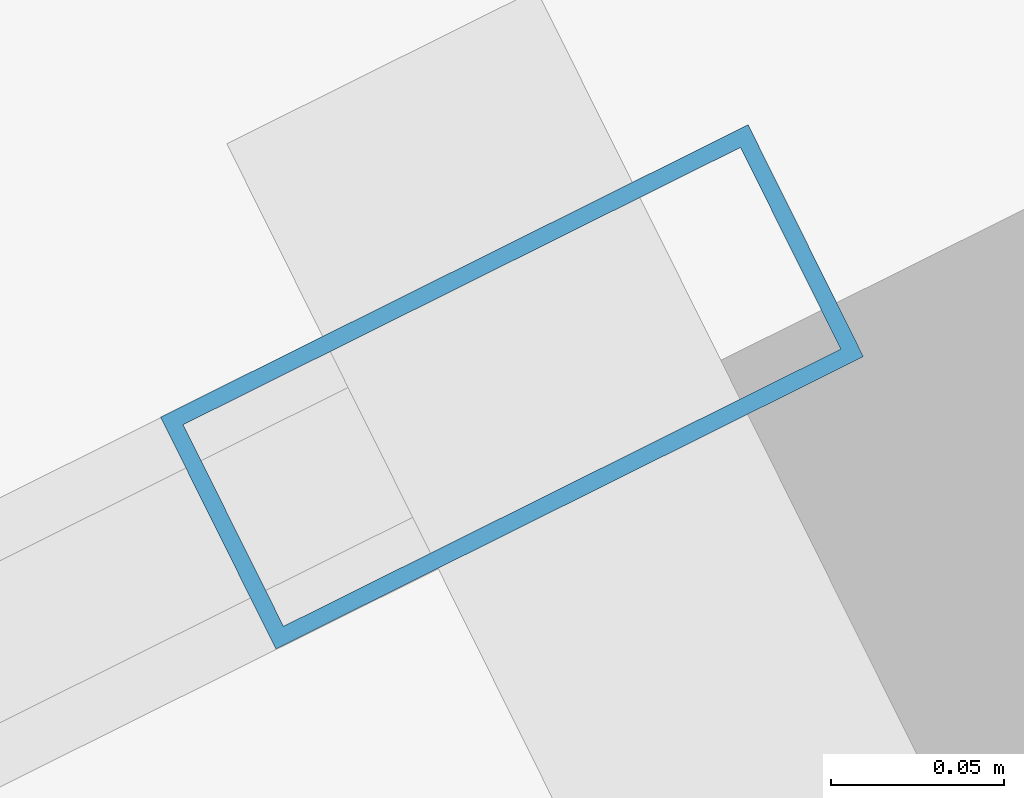
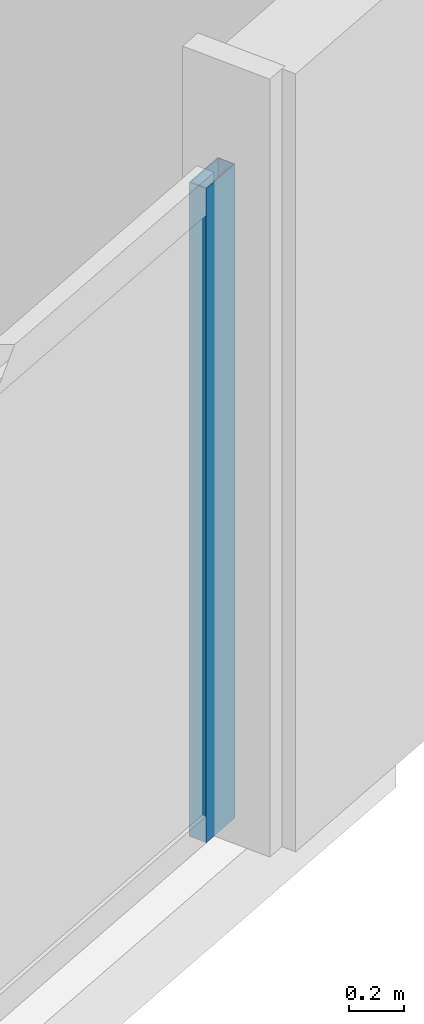
# One storey, part 11 of 35: 1 member, 1 element without a shape of its own.
"""IFC4 building model written with IfcOpenShell, lengths in metres."""

from ifc_helpers import new_model, si_unit, direction, frame, origin, origin_2d, place, context, subcontext, project, spatial, hollow_rectangle, extrude, material, material_profile, profile_set, type_object, element, aggregate, save


model = new_model("IFC4")

# Units and contexts
model_context = context("Model", 3, precision=1e-05, world=origin(), true_north=direction((0.0, 1.0)))
body_context = subcontext(model_context, "Body", "Model", "MODEL_VIEW")
ifc_project = project(units=[si_unit("LENGTHUNIT", "METRE"), si_unit("AREAUNIT", "SQUARE_METRE"), si_unit("VOLUMEUNIT", "CUBIC_METRE"), si_unit("PLANEANGLEUNIT", "RADIAN"), si_unit("MASSUNIT", "GRAM", prefix="KILO")], contexts=[model_context])

# Site, building, storey
site_placement = place(None, origin())
site = spatial("IfcSite", under=ifc_project, at=site_placement, CompositionType="ELEMENT")
building_placement = place(site_placement, origin())
building = spatial("IfcBuilding", under=site, at=building_placement, Name="Haldenkirk Collegiate Tower", CompositionType="ELEMENT")
storey_placement = place(building_placement, frame((0.0, 0.0, 116.699951171875)))
storey = spatial("IfcBuildingStorey", under=building, at=storey_placement, Name="L28", CompositionType="ELEMENT", Elevation=116.699951171875)

# Curtain wall, member
ifc_material = material(Name="Anodised architectural bronze aluminium", Category="aluminium")
curtain_wall_type = type_object("IfcCurtainWallType", Name="CW-SYS2-CONCAVE", PredefinedType="USERDEFINED", material=ifc_material)
curtain_wall_placement = place(storey_placement, origin())
curtain_wall = element("IfcCurtainWall", 1, at=curtain_wall_placement, inside=storey, type_object=curtain_wall_type, Name="L28 South concave recessed bronze-anodised curtain wall", ObjectType="UNITISED CURTAIN WALL", PredefinedType="USERDEFINED")
ifc_material_profile = material_profile(ifc_material, hollow_rectangle(XDim=0.074951171875, YDim=0.18994140625, WallThickness=0.0048828125, at=origin_2d()), Name="CW-MUL-02")
ifc_profile_set = profile_set([ifc_material_profile], Name="Anodised architectural bronze aluminium")
member_type = type_object("IfcMemberType", Name="CW-MUL-02", PredefinedType="MULLION", material=ifc_profile_set)
member_placement = place(storey_placement, frame((65.298828125, 13.608154296875, 0.0), z_axis=(0.0, 0.0, 1.0), x_axis=(0.445415099364, -0.895324181098, 0.0)))
member = element("IfcMember", 2, at=member_placement, type_object=member_type, Name="CW-02 mullion 1", PredefinedType="MULLION", context=body_context, shape_type="SweptSolid", body=[
    extrude(hollow_rectangle(XDim=0.074951171875, YDim=0.18994140625, WallThickness=0.0048828125, at=origin_2d()), origin(), (0.0, 0.0, 1.0), 2.901123046875),
])
aggregate(curtain_wall, [member])

save(model, "model.ifc")
